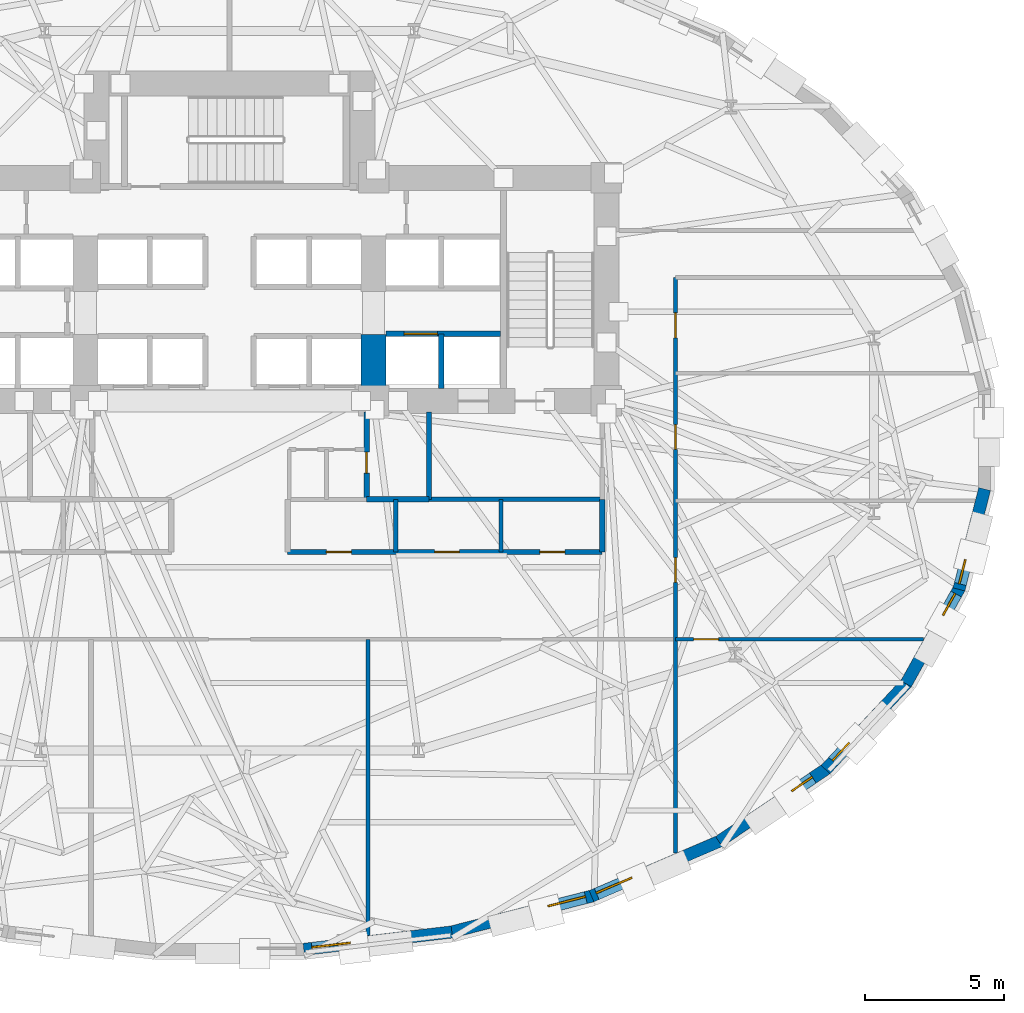
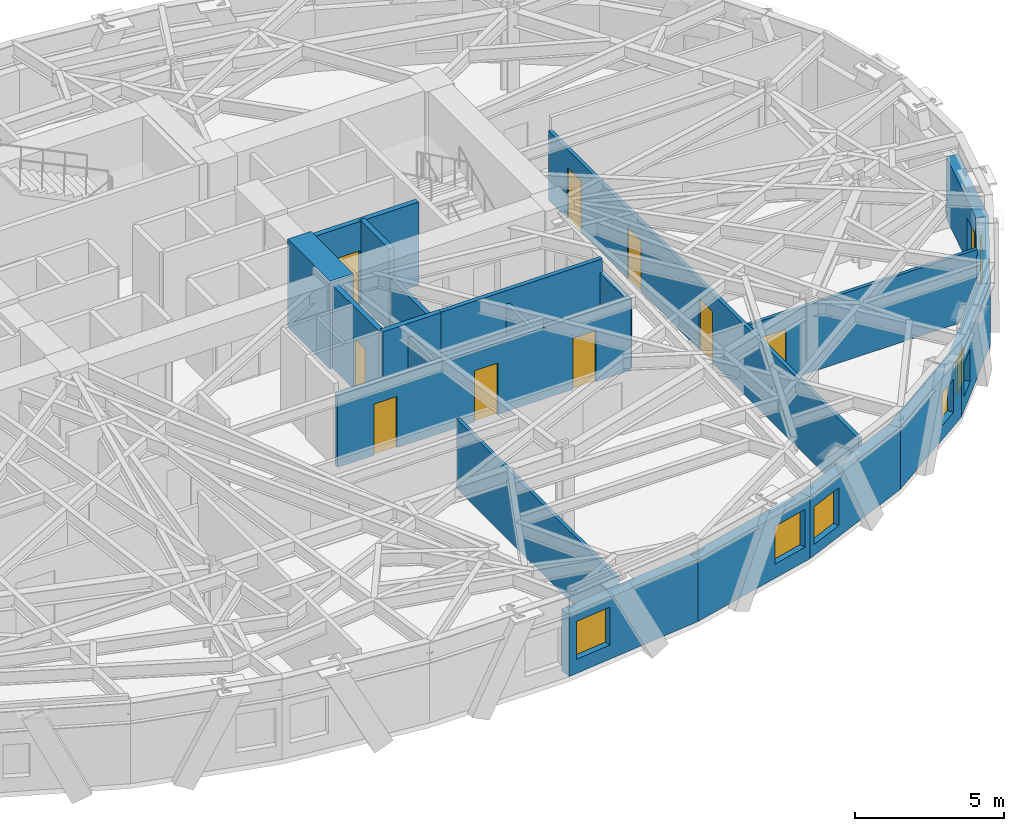
# One storey, part 8 of 14: 21 walls, 9 doors, 7 windows, 16 openings.
"""IFC4 building model written with IfcOpenShell, lengths in metres."""

from ifc_helpers import new_model, si_unit, direction, frame, frame_2d, origin, place, context, subcontext, project, spatial, rectangle, extrude, material, layer, layer_set, type_object, element, fill, save


model = new_model("IFC4")

# Units and contexts
model_context = context("Model", 3, precision=1e-05, world=origin(), true_north=direction((0.0, 1.0)))
body_context = subcontext(model_context, "Body", "Model", "MODEL_VIEW")
ifc_project = project(units=[si_unit("LENGTHUNIT", "METRE"), si_unit("AREAUNIT", "SQUARE_METRE"), si_unit("VOLUMEUNIT", "CUBIC_METRE"), si_unit("PLANEANGLEUNIT", "RADIAN"), si_unit("MASSUNIT", "GRAM", prefix="KILO")], contexts=[model_context])

# Site, building, storey
site_placement = place(None, origin())
site = spatial("IfcSite", under=ifc_project, at=site_placement, CompositionType="ELEMENT")
building_placement = place(site_placement, origin())
building = spatial("IfcBuilding", under=site, at=building_placement, Name="Keldmark Tower", CompositionType="ELEMENT")
storey_placement = place(building_placement, frame((0.0, 0.0, 41.39990234375)))
storey = spatial("IfcBuildingStorey", under=building, at=storey_placement, Name="L10", CompositionType="ELEMENT", Elevation=41.39990234375)

# Wall, openings, doors
ifc_material_1 = material(Name="Acoustic Double-Layer Gypsum Corridor Partition", Category="gypsum")
ifc_layer_1 = layer(ifc_material_1, 0.139892578125)
ifc_layer_set_1 = layer_set([ifc_layer_1], Name="Acoustic Double-Layer Gypsum Corridor Partition")
wall_type_1 = type_object("IfcWallType", Name="Acoustic Corridor Partition 140 mm", PredefinedType="PARTITIONING", material=ifc_layer_set_1)
wall_1_placement = place(storey_placement, frame((16.10009765625, -14.922119140625, 0.0), z_axis=(0.0, 0.0, 1.0), x_axis=(0.0, 1.0, 0.0)))
wall_1 = element("IfcWall", 1, at=wall_1_placement, inside=storey, type_object=wall_type_1, Name="L10 Acoustic Corridor Partition 140 mm COR-E", PredefinedType="PARTITIONING", context=body_context, shape_type="SweptSolid", body=[
    extrude(rectangle(XDim=20.772216796875, YDim=0.139892578125, at=frame_2d((10.38623046875, 0.0))), origin(), (0.0, 0.0, 1.0), 2.841064453125),
])
opening_1_placement = place(wall_1_placement, frame((9.772216796875, 0.0, 0.0)))
opening_1 = element("IfcOpeningElement", 2, at=opening_1_placement, cuts=wall_1, Name="Opening D-IN090", PredefinedType="OPENING", context=body_context, shape_type="SweptSolid", body=[
    extrude(rectangle(XDim=0.89990234375, YDim=2.10009765625, at=frame_2d((0.449951171875, 1.050048828125))), frame((0.0, 0.079833984375, 0.0), z_axis=(0.0, -1.0, 0.0), x_axis=(1.0, 0.0, 0.0)), (0.0, 0.0, 1.0), 0.159912109375),
])
opening_2_placement = place(wall_1_placement, frame((14.572265625, 0.0, 0.0)))
opening_2 = element("IfcOpeningElement", 3, at=opening_2_placement, cuts=wall_1, Name="Opening D-IN090", PredefinedType="OPENING", context=body_context, shape_type="SweptSolid", body=[
    extrude(rectangle(XDim=0.89990234375, YDim=2.10009765625, at=frame_2d((0.449951171875, 1.050048828125))), frame((0.0, 0.079833984375, 0.0), z_axis=(0.0, -1.0, 0.0), x_axis=(1.0, 0.0, 0.0)), (0.0, 0.0, 1.0), 0.159912109375),
])
opening_3_placement = place(wall_1_placement, frame((18.597412109375, 0.0, 0.0)))
opening_3 = element("IfcOpeningElement", 4, at=opening_3_placement, cuts=wall_1, Name="Opening D-IN090", PredefinedType="OPENING", context=body_context, shape_type="SweptSolid", body=[
    extrude(rectangle(XDim=0.89990234375, YDim=2.10009765625, at=frame_2d((0.449951171875, 1.050048828125))), frame((0.0, 0.079833984375, 0.0), z_axis=(0.0, -1.0, 0.0), x_axis=(1.0, 0.0, 0.0)), (0.0, 0.0, 1.0), 0.159912109375),
])
ifc_material_2 = material(Name="Stained American White Oak Veneer", Category="wood")
door_type_1 = type_object("IfcDoorType", Name="Interior Door 900x2100", OperationType="NOTDEFINED", PredefinedType="DOOR", material=ifc_material_2)
door_1_placement = place(opening_1_placement, origin())
door_1 = element("IfcDoor", 5, at=door_1_placement, inside=storey, type_object=door_type_1, Name="L10 Interior Door 900x2100 D-ER-1-L10", OperationType="SINGLE_SWING_RIGHT", OverallHeight=2.10009765625, OverallWidth=0.89990234375, PredefinedType="DOOR", context=body_context, shape_type="SweptSolid", body=[
    extrude(rectangle(XDim=0.89990234375, YDim=2.10009765625, at=frame_2d((0.449951171875, 1.050048828125))), frame((0.0, 0.02490234375, 0.0), z_axis=(0.0, -1.0, 0.0), x_axis=(1.0, 0.0, 0.0)), (0.0, 0.0, 1.0), 0.050048828125),
])
fill(opening_1, door_1)
door_2_placement = place(opening_2_placement, origin())
door_2 = element("IfcDoor", 6, at=door_2_placement, inside=storey, type_object=door_type_1, Name="L10 Interior Door 900x2100 D-ER-2-L10", OperationType="SINGLE_SWING_LEFT", OverallHeight=2.10009765625, OverallWidth=0.89990234375, PredefinedType="DOOR", context=body_context, shape_type="SweptSolid", body=[
    extrude(rectangle(XDim=0.89990234375, YDim=2.10009765625, at=frame_2d((0.449951171875, 1.050048828125))), frame((0.0, 0.02490234375, 0.0), z_axis=(0.0, -1.0, 0.0), x_axis=(1.0, 0.0, 0.0)), (0.0, 0.0, 1.0), 0.050048828125),
])
fill(opening_2, door_2)
door_3_placement = place(opening_3_placement, origin())
door_3 = element("IfcDoor", 7, at=door_3_placement, inside=storey, type_object=door_type_1, Name="L10 Interior Door 900x2100 D-ER-3-L10", OperationType="SINGLE_SWING_RIGHT", OverallHeight=2.10009765625, OverallWidth=0.89990234375, PredefinedType="DOOR", context=body_context, shape_type="SweptSolid", body=[
    extrude(rectangle(XDim=0.89990234375, YDim=2.10009765625, at=frame_2d((0.449951171875, 1.050048828125))), frame((0.0, 0.02490234375, 0.0), z_axis=(0.0, -1.0, 0.0), x_axis=(1.0, 0.0, 0.0)), (0.0, 0.0, 1.0), 0.050048828125),
])
fill(opening_3, door_3)

ifc_material_3 = material(Name="Heavy Acoustic Plumbing Chase Gypsum Assembly", Category="gypsum")
ifc_layer_2 = layer(ifc_material_3, 0.18994140625)
ifc_layer_set_2 = layer_set([ifc_layer_2], Name="Heavy Acoustic Plumbing Chase Gypsum Assembly")
wall_type_2 = type_object("IfcWallType", Name="Heavy Wet Wall 190 mm", PredefinedType="PLUMBINGWALL", material=ifc_layer_set_2)
wall_2_placement = place(storey_placement, frame((2.10009765625, -4.050048828125, 0.0), z_axis=(0.0, 0.0, 1.0), x_axis=(1.0, 0.0, 0.0)))
wall_2 = element("IfcWall", 8, at=wall_2_placement, inside=storey, type_object=wall_type_2, Name="L10 Heavy Wet Wall 190 mm SPK-E-S", PredefinedType="PLUMBINGWALL", context=body_context, shape_type="SweptSolid", body=[
    extrude(rectangle(XDim=11.349853515625, YDim=0.18994140625, at=frame_2d((5.6748046875, 0.0))), origin(), (0.0, 0.0, 1.0), 2.93310546875),
])
opening_4_placement = place(wall_2_placement, frame((1.39990234375, 0.0, 0.0)))
opening_4 = element("IfcOpeningElement", 9, at=opening_4_placement, cuts=wall_2, Name="Opening D-IN090", PredefinedType="OPENING", context=body_context, shape_type="SweptSolid", body=[
    extrude(rectangle(XDim=0.89990234375, YDim=2.10009765625, at=frame_2d((0.449951171875, 1.050048828125))), frame((0.0, 0.10498046875, 0.0), z_axis=(0.0, -1.0, 0.0), x_axis=(1.0, 0.0, 0.0)), (0.0, 0.0, 1.0), 0.2099609375),
])
opening_5_placement = place(wall_2_placement, frame((5.300048828125, 0.0, 0.0)))
opening_5 = element("IfcOpeningElement", 10, at=opening_5_placement, cuts=wall_2, Name="Opening D-IN090", PredefinedType="OPENING", context=body_context, shape_type="SweptSolid", body=[
    extrude(rectangle(XDim=0.89990234375, YDim=2.10009765625, at=frame_2d((0.449951171875, 1.050048828125))), frame((0.0, 0.10498046875, 0.0), z_axis=(0.0, -1.0, 0.0), x_axis=(1.0, 0.0, 0.0)), (0.0, 0.0, 1.0), 0.2099609375),
])
opening_6_placement = place(wall_2_placement, frame((9.10009765625, 0.0, 0.0)))
opening_6 = element("IfcOpeningElement", 11, at=opening_6_placement, cuts=wall_2, Name="Opening D-IN090", PredefinedType="OPENING", context=body_context, shape_type="SweptSolid", body=[
    extrude(rectangle(XDim=0.89990234375, YDim=2.10009765625, at=frame_2d((0.449951171875, 1.050048828125))), frame((0.0, 0.10498046875, 0.0), z_axis=(0.0, -1.0, 0.0), x_axis=(1.0, 0.0, 0.0)), (0.0, 0.0, 1.0), 0.2099609375),
])
door_4_placement = place(opening_4_placement, origin())
door_4 = element("IfcDoor", 12, at=door_4_placement, inside=storey, type_object=door_type_1, Name="L10 Interior Door 900x2100 D-SPKE1-L10", OperationType="SINGLE_SWING_RIGHT", OverallHeight=2.10009765625, OverallWidth=0.89990234375, PredefinedType="DOOR", context=body_context, shape_type="SweptSolid", body=[
    extrude(rectangle(XDim=0.89990234375, YDim=2.10009765625, at=frame_2d((0.449951171875, 1.050048828125))), frame((0.0, 0.02490234375, 0.0), z_axis=(0.0, -1.0, 0.0), x_axis=(1.0, 0.0, 0.0)), (0.0, 0.0, 1.0), 0.050048828125),
])
fill(opening_4, door_4)
door_5_placement = place(opening_5_placement, origin())
door_5 = element("IfcDoor", 13, at=door_5_placement, inside=storey, type_object=door_type_1, Name="L10 Interior Door 900x2100 D-SPKE2-L10", OperationType="SINGLE_SWING_LEFT", OverallHeight=2.10009765625, OverallWidth=0.89990234375, PredefinedType="DOOR", context=body_context, shape_type="SweptSolid", body=[
    extrude(rectangle(XDim=0.89990234375, YDim=2.10009765625, at=frame_2d((0.449951171875, 1.050048828125))), frame((0.0, 0.02490234375, 0.0), z_axis=(0.0, -1.0, 0.0), x_axis=(1.0, 0.0, 0.0)), (0.0, 0.0, 1.0), 0.050048828125),
])
fill(opening_5, door_5)
door_6_placement = place(opening_6_placement, origin())
door_6 = element("IfcDoor", 14, at=door_6_placement, inside=storey, type_object=door_type_1, Name="L10 Interior Door 900x2100 D-SPKE3-L10", OperationType="SINGLE_SWING_RIGHT", OverallHeight=2.10009765625, OverallWidth=0.89990234375, PredefinedType="DOOR", context=body_context, shape_type="SweptSolid", body=[
    extrude(rectangle(XDim=0.89990234375, YDim=2.10009765625, at=frame_2d((0.449951171875, 1.050048828125))), frame((0.0, 0.02490234375, 0.0), z_axis=(0.0, -1.0, 0.0), x_axis=(1.0, 0.0, 0.0)), (0.0, 0.0, 1.0), 0.050048828125),
])
fill(opening_6, door_6)

# Walls
wall_3_placement = place(storey_placement, frame((13.449951171875, -4.050048828125, 0.0), z_axis=(0.0, 0.0, 1.0), x_axis=(0.0, 1.0, 0.0)))
element("IfcWall", 15, at=wall_3_placement, inside=storey, type_object=wall_type_2, Name="L10 Heavy Wet Wall 190 mm SPK-E-E", PredefinedType="PLUMBINGWALL", context=body_context, shape_type="SweptSolid", body=[
    extrude(rectangle(XDim=1.900146484375, YDim=0.18994140625, at=frame_2d((0.9501953125, 0.0))), origin(), (0.0, 0.0, 1.0), 2.85302734375),
])
ifc_material_4 = material(Name="Acoustic Gypsum Board Interior Partition", Category="gypsum")
ifc_layer_3 = layer(ifc_material_4, 0.1298828125)
ifc_layer_set_3 = layer_set([ifc_layer_3], Name="Acoustic Gypsum Board Interior Partition")
wall_type_3 = type_object("IfcWallType", Name="Interior Partition 130 mm", PredefinedType="PARTITIONING", material=ifc_layer_set_3)
wall_4_placement = place(storey_placement, frame((5.0, -17.890380859375, 0.0), z_axis=(0.0, 0.0, 1.0), x_axis=(0.0, 1.0, 0.0)))
element("IfcWall", 16, at=wall_4_placement, inside=storey, type_object=wall_type_3, Name="L10 Interior Partition 130 mm S-DIV-2", PredefinedType="PARTITIONING", context=body_context, shape_type="SweptSolid", body=[
    extrude(rectangle(XDim=10.6904296875, YDim=0.1298828125, at=frame_2d((5.34521484375, 0.0))), origin(), (0.0, 0.0, 1.0), 2.85302734375),
])

# Wall, opening, door
wall_5_placement = place(storey_placement, frame((16.10009765625, -7.199951171875, 0.0), z_axis=(0.0, 0.0, 1.0), x_axis=(1.0, 0.0, 0.0)))
wall_5 = element("IfcWall", 17, at=wall_5_placement, inside=storey, type_object=wall_type_3, Name="L10 Interior Partition 130 mm E-CAP-S", PredefinedType="PARTITIONING", context=body_context, shape_type="SweptSolid", body=[
    extrude(rectangle(XDim=8.951416015625, YDim=0.1298828125, at=frame_2d((4.4755859375, 0.0))), origin(), (0.0, 0.0, 1.0), 2.779052734375),
])
opening_7_placement = place(wall_5_placement, frame((0.64990234375, 0.0, 0.0)))
opening_7 = element("IfcOpeningElement", 18, at=opening_7_placement, cuts=wall_5, Name="Opening D-IN090", PredefinedType="OPENING", context=body_context, shape_type="SweptSolid", body=[
    extrude(rectangle(XDim=0.89990234375, YDim=2.10009765625, at=frame_2d((0.449951171875, 1.050048828125))), frame((0.0, 0.074951171875, 0.0), z_axis=(0.0, -1.0, 0.0), x_axis=(1.0, 0.0, 0.0)), (0.0, 0.0, 1.0), 0.14990234375),
])
door_7_placement = place(opening_7_placement, origin())
door_7 = element("IfcDoor", 19, at=door_7_placement, inside=storey, type_object=door_type_1, Name="L10 Interior Door 900x2100 D-ERSE-L10", OperationType="SINGLE_SWING_LEFT", OverallHeight=2.10009765625, OverallWidth=0.89990234375, PredefinedType="DOOR", context=body_context, shape_type="SweptSolid", body=[
    extrude(rectangle(XDim=0.89990234375, YDim=2.10009765625, at=frame_2d((0.449951171875, 1.050048828125))), frame((0.0, 0.02490234375, 0.0), z_axis=(0.0, -1.0, 0.0), x_axis=(1.0, 0.0, 0.0)), (0.0, 0.0, 1.0), 0.050048828125),
])
fill(opening_7, door_7)

# Walls
ifc_material_5 = material(Name="Concrete C70/85", Category="concrete")
ifc_layer_4 = layer(ifc_material_5, 0.89990234375)
ifc_layer_set_4 = layer_set([ifc_layer_4], Name="Concrete C70/85")
wall_type_4 = type_object("IfcWallType", Name="Lower Core Shear Wall 900 mm", PredefinedType="SHEAR", material=ifc_layer_set_4)
wall_6_placement = place(storey_placement, frame((5.199951171875, 0.949951171875, 0.0), z_axis=(0.0, 0.0, 1.0), x_axis=(0.0, 1.0, 0.0)))
element("IfcWall", 20, at=wall_6_placement, inside=storey, type_object=wall_type_4, Name="L10 East Core Inner Shear Pier South", PredefinedType="SHEAR", context=body_context, shape_type="SweptSolid", body=[
    extrude(rectangle(XDim=2.85009765625, YDim=0.89990234375, at=frame_2d((1.425048828125, 0.0))), origin(), (0.0, 0.0, 1.0), 3.60009765625),
])
ifc_material_6 = material(Name="Type X Fire-Rated Gypsum Partition Assembly", Category="gypsum")
ifc_layer_5 = layer(ifc_material_6, 0.1650390625)
ifc_layer_set_5 = layer_set([ifc_layer_5], Name="Type X Fire-Rated Gypsum Partition Assembly")
wall_type_5 = type_object("IfcWallType", Name="Rated Partition 165 mm", PredefinedType="PARTITIONING", material=ifc_layer_set_5)
wall_7_placement = place(storey_placement, frame((7.199951171875, -2.14990234375, 0.0), z_axis=(0.0, 0.0, 1.0), x_axis=(1.0, 0.0, 0.0)))
element("IfcWall", 21, at=wall_7_placement, inside=storey, type_object=wall_type_5, Name="L10 Rated Partition 165 mm FSAE-E-S", PredefinedType="PARTITIONING", context=body_context, shape_type="SweptSolid", body=[
    extrude(rectangle(XDim=6.25, YDim=0.1650390625, at=frame_2d((3.125, 0.0))), origin(), (0.0, 0.0, 1.0), 3.400146484375),
])
wall_8_placement = place(storey_placement, frame((7.199951171875, -2.14990234375, 0.0), z_axis=(0.0, 0.0, 1.0), x_axis=(0.0, 1.0, 0.0)))
element("IfcWall", 22, at=wall_8_placement, inside=storey, type_object=wall_type_5, Name="L10 Rated Partition 165 mm FSAE-E-W", PredefinedType="PARTITIONING", context=body_context, shape_type="SweptSolid", body=[
    extrude(rectangle(XDim=3.14990234375, YDim=0.1650390625, at=frame_2d((1.574951171875, 0.0))), origin(), (0.0, 0.0, 1.0), 2.85302734375),
])
ifc_material_7 = material(Name="Fire-Resistant Type X Gypsum Shaftliner Coreboard", Category="gypsum")
ifc_layer_6 = layer(ifc_material_7, 0.199951171875)
ifc_layer_set_6 = layer_set([ifc_layer_6], Name="Fire-Resistant Type X Gypsum Shaftliner Coreboard")
wall_type_6 = type_object("IfcWallType", Name="Shaft Wall 200 mm", PredefinedType="SOLIDWALL", material=ifc_layer_set_6)
wall_9_placement = place(storey_placement, frame((4.949951171875, -2.14990234375, 0.0), z_axis=(0.0, 0.0, 1.0), x_axis=(1.0, 0.0, 0.0)))
element("IfcWall", 23, at=wall_9_placement, inside=storey, type_object=wall_type_6, Name="L10 Shaft Wall 200 mm RIS-SE-S", PredefinedType="SOLIDWALL", context=body_context, shape_type="SweptSolid", body=[
    extrude(rectangle(XDim=2.25, YDim=0.199951171875, at=frame_2d((1.125, 0.0))), origin(), (0.0, 0.0, 1.0), 3.400146484375),
])

# Wall, opening, door
wall_10_placement = place(storey_placement, frame((4.949951171875, -2.14990234375, 0.0), z_axis=(0.0, 0.0, 1.0), x_axis=(0.0, 1.0, 0.0)))
wall_10 = element("IfcWall", 24, at=wall_10_placement, inside=storey, type_object=wall_type_6, Name="L10 Shaft Wall 200 mm RIS-SE-W", PredefinedType="SOLIDWALL", context=body_context, shape_type="SweptSolid", body=[
    extrude(rectangle(XDim=3.14990234375, YDim=0.199951171875, at=frame_2d((1.574951171875, 0.0))), origin(), (0.0, 0.0, 1.0), 3.400146484375),
])
opening_8_placement = place(wall_10_placement, frame((0.949951171875, 0.0, 0.0)))
opening_8 = element("IfcOpeningElement", 25, at=opening_8_placement, cuts=wall_10, Name="Opening D-RS075", PredefinedType="OPENING", context=body_context, shape_type="SweptSolid", body=[
    extrude(rectangle(XDim=0.75, YDim=2.10009765625, at=frame_2d((0.375, 1.050048828125))), frame((0.0, 0.10986328125, 0.0), z_axis=(0.0, -1.0, 0.0), x_axis=(1.0, 0.0, 0.0)), (0.0, 0.0, 1.0), 0.219970703125),
])
ifc_material_8 = material(Name="Galvanized Fire-Rated Access Leaf", Category="metal")
door_type_2 = type_object("IfcDoorType", Name="Riser Access Door 750x2100", OperationType="NOTDEFINED", PredefinedType="DOOR", material=ifc_material_8)
door_8_placement = place(opening_8_placement, origin())
door_8 = element("IfcDoor", 26, at=door_8_placement, inside=storey, type_object=door_type_2, Name="L10 Riser Access Door 750x2100 D-RISSE-L10", OperationType="SINGLE_SWING_LEFT", OverallHeight=2.10009765625, OverallWidth=0.75, PredefinedType="DOOR", context=body_context, shape_type="SweptSolid", body=[
    extrude(rectangle(XDim=0.75, YDim=2.10009765625, at=frame_2d((0.375, 1.050048828125))), frame((0.0, 0.02490234375, 0.0), z_axis=(0.0, -1.0, 0.0), x_axis=(1.0, 0.0, 0.0)), (0.0, 0.0, 1.0), 0.050048828125),
])
fill(opening_8, door_8)

wall_11_placement = place(storey_placement, frame((5.64990234375, 3.820068359375, 0.0), z_axis=(0.0, 0.0, 1.0), x_axis=(1.0, 0.0, 0.0)))
wall_11 = element("IfcWall", 27, at=wall_11_placement, inside=storey, type_object=wall_type_6, Name="L10 Shaft Wall 200 mm HW-E-S", PredefinedType="SOLIDWALL", context=body_context, shape_type="SweptSolid", body=[
    extrude(rectangle(XDim=4.130126953125, YDim=0.199951171875, at=frame_2d((2.06494140625, 0.0))), origin(), (0.0, 0.0, 1.0), 3.400146484375),
])
opening_9_placement = place(wall_11_placement, frame((0.64990234375, 0.0, 0.0)))
opening_9 = element("IfcOpeningElement", 28, at=opening_9_placement, cuts=wall_11, Name="Opening LD-120", PredefinedType="OPENING", context=body_context, shape_type="SweptSolid", body=[
    extrude(rectangle(XDim=1.199951171875, YDim=2.199951171875, at=frame_2d((0.60009765625, 1.10009765625))), frame((0.0, 0.10986328125, 0.0), z_axis=(0.0, -1.0, 0.0), x_axis=(1.0, 0.0, 0.0)), (0.0, 0.0, 1.0), 0.219970703125),
])
ifc_material_9 = material(Name="Heavy-Duty Brushed Metal Hoistway Sliding Leaf", Category="metal")
door_type_3 = type_object("IfcDoorType", Name="Service Lift Sliding Door 1200x2200", OperationType="SLIDING_TO_RIGHT", PredefinedType="DOOR", material=ifc_material_9)
door_9_placement = place(opening_9_placement, origin())
door_9 = element("IfcDoor", 29, at=door_9_placement, inside=storey, type_object=door_type_3, Name="L10 Service Lift Sliding Door 1200x2200 LD-EL-SV1-L10", OperationType="SLIDING_TO_RIGHT", OverallHeight=2.199951171875, OverallWidth=1.199951171875, PredefinedType="DOOR", context=body_context, shape_type="SweptSolid", body=[
    extrude(rectangle(XDim=1.199951171875, YDim=2.199951171875, at=frame_2d((0.60009765625, 1.10009765625))), frame((0.0, 0.02490234375, 0.0), z_axis=(0.0, -1.0, 0.0), x_axis=(1.0, 0.0, 0.0)), (0.0, 0.0, 1.0), 0.050048828125),
])
fill(opening_9, door_9)

# Wall
wall_12_placement = place(storey_placement, frame((7.64990234375, 1.85009765625, 0.0), z_axis=(0.0, 0.0, 1.0), x_axis=(0.0, 1.0, 0.0)))
element("IfcWall", 30, at=wall_12_placement, inside=storey, type_object=wall_type_6, Name="L10 Shaft Wall 200 mm HW-E-M", PredefinedType="SOLIDWALL", context=body_context, shape_type="SweptSolid", body=[
    extrude(rectangle(XDim=1.969970703125, YDim=0.199951171875, at=frame_2d((0.98486328125, 0.0))), origin(), (0.0, 0.0, 1.0), 3.400146484375),
])

# Wall, opening, window
ifc_material_10 = material(Name="Ironspot Manganese Brick and Kasota Buff Limestone Spandrel Assembly", Category="masonry")
ifc_layer_7 = layer(ifc_material_10, 0.43994140625)
ifc_layer_set_7 = layer_set([ifc_layer_7], Name="Ironspot Manganese Brick and Kasota Buff Limestone Spandrel Assembly")
wall_type_7 = type_object("IfcWallType", Name="Tower Brick Pier and Spandrel Wall 440 mm", PredefinedType="STANDARD", material=ifc_layer_set_7)
wall_13_placement = place(storey_placement, frame((8.024658203125, -17.76416015625, 0.0), z_axis=(0.0, 0.0, 1.0), x_axis=(-0.993159890371, -0.116762289112, 0.0)))
wall_13 = element("IfcWall", 31, at=wall_13_placement, inside=storey, type_object=wall_type_7, Name="L10 Exterior Brick and Spandrel Wall 25", PredefinedType="STANDARD", context=body_context, shape_type="SweptSolid", body=[
    extrude(rectangle(XDim=5.382080078125, YDim=0.43994140625, at=frame_2d((2.69091796875, 0.0))), origin(), (0.0, 0.0, 1.0), 2.529052734375),
])
opening_10_placement = place(wall_13_placement, frame((3.682373046875, 0.0, 0.580078125)))
opening_10 = element("IfcOpeningElement", 32, at=opening_10_placement, cuts=wall_13, Name="Opening W-08", PredefinedType="OPENING", context=body_context, shape_type="SweptSolid", body=[
    extrude(rectangle(XDim=1.39990234375, YDim=1.550048828125, at=frame_2d((0.699951171875, 0.77490234375))), frame((0.0, 0.22998046875, 0.0), z_axis=(0.0, -1.0, 0.0), x_axis=(1.0, 0.0, 0.0)), (0.0, 0.0, 1.0), 0.4599609375),
])
ifc_material_11 = material(Name="Thermally Broken Anodized Aluminum and Triple Low-E Argon Glazing", Category="aluminium")
window_type_1 = type_object("IfcWindowType", Name="Residential Corner Punched Window 1400x1550", PartitioningType="SINGLE_PANEL", PredefinedType="WINDOW", material=ifc_material_11)
window_1_placement = place(opening_10_placement, origin())
window_1 = element("IfcWindow", 33, at=window_1_placement, inside=storey, type_object=window_type_1, Name="L10 Deep-Set Window 25", OverallHeight=1.550048828125, OverallWidth=1.39990234375, PartitioningType="SINGLE_PANEL", PredefinedType="WINDOW", context=body_context, shape_type="SweptSolid", body=[
    extrude(rectangle(XDim=1.39990234375, YDim=1.550048828125, at=frame_2d((0.699951171875, 0.77490234375))), frame((0.0, -0.010009765625, 0.0), z_axis=(0.0, -1.0, 0.0), x_axis=(1.0, 0.0, 0.0)), (0.0, 0.0, 1.0), 0.06005859375),
])
fill(opening_10, window_1)

wall_14_placement = place(storey_placement, frame((13.098876953125, -16.4619140625, 0.0), z_axis=(0.0, 0.0, 1.0), x_axis=(-0.968705592422, -0.248212560542, 0.0)))
wall_14 = element("IfcWall", 34, at=wall_14_placement, inside=storey, type_object=wall_type_7, Name="L10 Exterior Brick and Spandrel Wall 26", PredefinedType="STANDARD", context=body_context, shape_type="SweptSolid", body=[
    extrude(rectangle(XDim=5.26806640625, YDim=0.43994140625, at=frame_2d((2.634033203125, 0.0))), origin(), (0.0, 0.0, 1.0), 2.529052734375),
])
opening_11_placement = place(wall_14_placement, frame((0.24951171875, 0.0, 0.580078125)))
opening_11 = element("IfcOpeningElement", 35, at=opening_11_placement, cuts=wall_14, Name="Opening W-08", PredefinedType="OPENING", context=body_context, shape_type="SweptSolid", body=[
    extrude(rectangle(XDim=1.39990234375, YDim=1.550048828125, at=frame_2d((0.699951171875, 0.77490234375))), frame((0.0, 0.22998046875, 0.0), z_axis=(0.0, -1.0, 0.0), x_axis=(1.0, 0.0, 0.0)), (0.0, 0.0, 1.0), 0.4599609375),
])
window_2_placement = place(opening_11_placement, origin())
window_2 = element("IfcWindow", 36, at=window_2_placement, inside=storey, type_object=window_type_1, Name="L10 Deep-Set Window 26", OverallHeight=1.550048828125, OverallWidth=1.39990234375, PartitioningType="SINGLE_PANEL", PredefinedType="WINDOW", context=body_context, shape_type="SweptSolid", body=[
    extrude(rectangle(XDim=1.39990234375, YDim=1.550048828125, at=frame_2d((0.699951171875, 0.77490234375))), frame((0.0, -0.010009765625, 0.0), z_axis=(0.0, -1.0, 0.0), x_axis=(1.0, 0.0, 0.0)), (0.0, 0.0, 1.0), 0.06005859375),
])
fill(opening_11, window_2)

wall_15_placement = place(storey_placement, frame((17.69970703125, -14.4833984375, 0.0), z_axis=(0.0, 0.0, 1.0), x_axis=(-0.918881850071, -0.394532819433, 0.0)))
wall_15 = element("IfcWall", 37, at=wall_15_placement, inside=storey, type_object=wall_type_7, Name="L10 Exterior Brick and Spandrel Wall 27", PredefinedType="STANDARD", context=body_context, shape_type="SweptSolid", body=[
    extrude(rectangle(XDim=5.0419921875, YDim=0.43994140625, at=frame_2d((2.52099609375, 0.0))), origin(), (0.0, 0.0, 1.0), 2.529052734375),
])
opening_12_placement = place(wall_15_placement, frame((3.44189453125, 0.0, 0.449951171875)))
opening_12 = element("IfcOpeningElement", 38, at=opening_12_placement, cuts=wall_15, Name="Opening W-08", PredefinedType="OPENING", context=body_context, shape_type="SweptSolid", body=[
    extrude(rectangle(XDim=1.39990234375, YDim=1.550048828125, at=frame_2d((0.699951171875, 0.77490234375))), frame((0.0, 0.22998046875, 0.0), z_axis=(0.0, -1.0, 0.0), x_axis=(1.0, 0.0, 0.0)), (0.0, 0.0, 1.0), 0.4599609375),
])
window_3_placement = place(opening_12_placement, origin())
window_3 = element("IfcWindow", 39, at=window_3_placement, inside=storey, type_object=window_type_1, Name="L10 Deep-Set Window 27", OverallHeight=1.550048828125, OverallWidth=1.39990234375, PartitioningType="SINGLE_PANEL", PredefinedType="WINDOW", context=body_context, shape_type="SweptSolid", body=[
    extrude(rectangle(XDim=1.39990234375, YDim=1.550048828125, at=frame_2d((0.699951171875, 0.77490234375))), frame((0.0, -0.010009765625, 0.0), z_axis=(0.0, -1.0, 0.0), x_axis=(1.0, 0.0, 0.0)), (0.0, 0.0, 1.0), 0.06005859375),
])
fill(opening_12, window_3)

wall_16_placement = place(storey_placement, frame((21.54931640625, -11.8701171875, 0.0), z_axis=(0.0, 0.0, 1.0), x_axis=(-0.827825981515, -0.560984976919, 0.0)))
wall_16 = element("IfcWall", 40, at=wall_16_placement, inside=storey, type_object=wall_type_7, Name="L10 Exterior Brick and Spandrel Wall 28", PredefinedType="STANDARD", context=body_context, shape_type="SweptSolid", body=[
    extrude(rectangle(XDim=4.694580078125, YDim=0.43994140625, at=frame_2d((2.34716796875, 0.0))), origin(), (0.0, 0.0, 1.0), 2.529052734375),
])
opening_13_placement = place(wall_16_placement, frame((0.599365234375, 0.0, 0.580078125)))
opening_13 = element("IfcOpeningElement", 41, at=opening_13_placement, cuts=wall_16, Name="Opening W-09", PredefinedType="OPENING", context=body_context, shape_type="SweptSolid", body=[
    extrude(rectangle(XDim=0.89990234375, YDim=1.35009765625, at=frame_2d((0.449951171875, 0.675048828125))), frame((0.0, 0.22998046875, 0.0), z_axis=(0.0, -1.0, 0.0), x_axis=(1.0, 0.0, 0.0)), (0.0, 0.0, 1.0), 0.4599609375),
])
ifc_material_12 = material(Name="Thermally Broken Anodized Aluminum and Triple Low-E Argon Glazing", Category="aluminium")
window_type_2 = type_object("IfcWindowType", Name="Corner Pier Deep-Set Window 900x1350", PartitioningType="SINGLE_PANEL", PredefinedType="WINDOW", material=ifc_material_12)
window_4_placement = place(opening_13_placement, origin())
window_4 = element("IfcWindow", 42, at=window_4_placement, inside=storey, type_object=window_type_2, Name="L10 Deep-Set Window 28", OverallHeight=1.35009765625, OverallWidth=0.89990234375, PartitioningType="SINGLE_PANEL", PredefinedType="WINDOW", context=body_context, shape_type="SweptSolid", body=[
    extrude(rectangle(XDim=0.89990234375, YDim=1.35009765625, at=frame_2d((0.449951171875, 0.675048828125))), frame((0.0, -0.010009765625, 0.0), z_axis=(0.0, -1.0, 0.0), x_axis=(1.0, 0.0, 0.0)), (0.0, 0.0, 1.0), 0.06005859375),
])
fill(opening_13, window_4)

wall_17_placement = place(storey_placement, frame((24.44775390625, -8.7626953125, 0.0), z_axis=(0.0, 0.0, 1.0), x_axis=(-0.68299392258, -0.730424056093, 0.0)))
wall_17 = element("IfcWall", 43, at=wall_17_placement, inside=storey, type_object=wall_type_7, Name="L10 Exterior Brick and Spandrel Wall 29", PredefinedType="STANDARD", context=body_context, shape_type="SweptSolid", body=[
    extrude(rectangle(XDim=4.298095703125, YDim=0.43994140625, at=frame_2d((2.14892578125, 0.0))), origin(), (0.0, 0.0, 1.0), 2.529052734375),
])
opening_14_placement = place(wall_17_placement, frame((2.998291015625, 0.0, 0.580078125)))
opening_14 = element("IfcOpeningElement", 44, at=opening_14_placement, cuts=wall_17, Name="Opening W-09", PredefinedType="OPENING", context=body_context, shape_type="SweptSolid", body=[
    extrude(rectangle(XDim=0.89990234375, YDim=1.35009765625, at=frame_2d((0.449951171875, 0.675048828125))), frame((0.0, 0.22998046875, 0.0), z_axis=(0.0, -1.0, 0.0), x_axis=(1.0, 0.0, 0.0)), (0.0, 0.0, 1.0), 0.4599609375),
])
window_5_placement = place(opening_14_placement, origin())
window_5 = element("IfcWindow", 45, at=window_5_placement, inside=storey, type_object=window_type_2, Name="L10 Deep-Set Window 29", OverallHeight=1.35009765625, OverallWidth=0.89990234375, PartitioningType="SINGLE_PANEL", PredefinedType="WINDOW", context=body_context, shape_type="SweptSolid", body=[
    extrude(rectangle(XDim=0.89990234375, YDim=1.35009765625, at=frame_2d((0.449951171875, 0.675048828125))), frame((0.0, -0.010009765625, 0.0), z_axis=(0.0, -1.0, 0.0), x_axis=(1.0, 0.0, 0.0)), (0.0, 0.0, 1.0), 0.06005859375),
])
fill(opening_14, window_5)

wall_18_placement = place(storey_placement, frame((26.34619140625, -5.347900390625, 0.0), z_axis=(0.0, 0.0, 1.0), x_axis=(-0.487369438963, -0.873195871477, 0.0)))
wall_18 = element("IfcWall", 46, at=wall_18_placement, inside=storey, type_object=wall_type_7, Name="L10 Exterior Brick and Spandrel Wall 30", PredefinedType="STANDARD", context=body_context, shape_type="SweptSolid", body=[
    extrude(rectangle(XDim=3.9599609375, YDim=0.43994140625, at=frame_2d((1.97998046875, 0.0))), origin(), (0.0, 0.0, 1.0), 2.529052734375),
])
opening_15_placement = place(wall_18_placement, frame((0.249267578125, 0.0, 0.580078125)))
opening_15 = element("IfcOpeningElement", 47, at=opening_15_placement, cuts=wall_18, Name="Opening W-09", PredefinedType="OPENING", context=body_context, shape_type="SweptSolid", body=[
    extrude(rectangle(XDim=0.89990234375, YDim=1.35009765625, at=frame_2d((0.449951171875, 0.675048828125))), frame((0.0, 0.22998046875, 0.0), z_axis=(0.0, -1.0, 0.0), x_axis=(1.0, 0.0, 0.0)), (0.0, 0.0, 1.0), 0.4599609375),
])
window_6_placement = place(opening_15_placement, origin())
window_6 = element("IfcWindow", 48, at=window_6_placement, inside=storey, type_object=window_type_2, Name="L10 Deep-Set Window 30", OverallHeight=1.35009765625, OverallWidth=0.89990234375, PartitioningType="SINGLE_PANEL", PredefinedType="WINDOW", context=body_context, shape_type="SweptSolid", body=[
    extrude(rectangle(XDim=0.89990234375, YDim=1.35009765625, at=frame_2d((0.449951171875, 0.675048828125))), frame((0.0, -0.010009765625, 0.0), z_axis=(0.0, -1.0, 0.0), x_axis=(1.0, 0.0, 0.0)), (0.0, 0.0, 1.0), 0.06005859375),
])
fill(opening_15, window_6)

wall_19_placement = place(storey_placement, frame((27.252685546875, -1.7783203125, 0.0), z_axis=(0.0, 0.0, 1.0), x_axis=(-0.248062710061, -0.968743976434, 0.0)))
wall_19 = element("IfcWall", 49, at=wall_19_placement, inside=storey, type_object=wall_type_7, Name="L10 Exterior Brick and Spandrel Wall 31", PredefinedType="STANDARD", context=body_context, shape_type="SweptSolid", body=[
    extrude(rectangle(XDim=3.739013671875, YDim=0.43994140625, at=frame_2d((1.86962890625, 0.0))), origin(), (0.0, 0.0, 1.0), 2.529052734375),
])
opening_16_placement = place(wall_19_placement, frame((2.638916015625, 0.0, 0.419921875)))
opening_16 = element("IfcOpeningElement", 50, at=opening_16_placement, cuts=wall_19, Name="Opening W-09", PredefinedType="OPENING", context=body_context, shape_type="SweptSolid", body=[
    extrude(rectangle(XDim=0.89990234375, YDim=1.35009765625, at=frame_2d((0.449951171875, 0.675048828125))), frame((0.0, 0.22998046875, 0.0), z_axis=(0.0, -1.0, 0.0), x_axis=(1.0, 0.0, 0.0)), (0.0, 0.0, 1.0), 0.4599609375),
])
window_7_placement = place(opening_16_placement, origin())
window_7 = element("IfcWindow", 51, at=window_7_placement, inside=storey, type_object=window_type_2, Name="L10 Deep-Set Window 31", OverallHeight=1.35009765625, OverallWidth=0.89990234375, PartitioningType="SINGLE_PANEL", PredefinedType="WINDOW", context=body_context, shape_type="SweptSolid", body=[
    extrude(rectangle(XDim=0.89990234375, YDim=1.35009765625, at=frame_2d((0.449951171875, 0.675048828125))), frame((0.0, -0.010009765625, 0.0), z_axis=(0.0, -1.0, 0.0), x_axis=(1.0, 0.0, 0.0)), (0.0, 0.0, 1.0), 0.06005859375),
])
fill(opening_16, window_7)

# Walls
ifc_material_13 = material(Name="Moisture-Resistant Gypsum Plumbing Partition", Category="gypsum")
ifc_layer_8 = layer(ifc_material_13, 0.14990234375)
ifc_layer_set_8 = layer_set([ifc_layer_8], Name="Moisture-Resistant Gypsum Plumbing Partition")
wall_type_8 = type_object("IfcWallType", Name="Wet Wall 150 mm", PredefinedType="PLUMBINGWALL", material=ifc_layer_set_8)
wall_20_placement = place(storey_placement, frame((6.0, -4.050048828125, 0.0), z_axis=(0.0, 0.0, 1.0), x_axis=(0.0, 1.0, 0.0)))
element("IfcWall", 52, at=wall_20_placement, inside=storey, type_object=wall_type_8, Name="L10 Wet Wall 150 mm SPK-E-D1", PredefinedType="PLUMBINGWALL", context=body_context, shape_type="SweptSolid", body=[
    extrude(rectangle(XDim=1.900146484375, YDim=0.14990234375, at=frame_2d((0.9501953125, 0.0))), origin(), (0.0, 0.0, 1.0), 2.841064453125),
])
wall_21_placement = place(storey_placement, frame((9.800048828125, -4.050048828125, 0.0), z_axis=(0.0, 0.0, 1.0), x_axis=(0.0, 1.0, 0.0)))
element("IfcWall", 53, at=wall_21_placement, inside=storey, type_object=wall_type_8, Name="L10 Wet Wall 150 mm SPK-E-D2", PredefinedType="PLUMBINGWALL", context=body_context, shape_type="SweptSolid", body=[
    extrude(rectangle(XDim=1.900146484375, YDim=0.14990234375, at=frame_2d((0.9501953125, 0.0))), origin(), (0.0, 0.0, 1.0), 2.85302734375),
])

save(model, "model.ifc")
